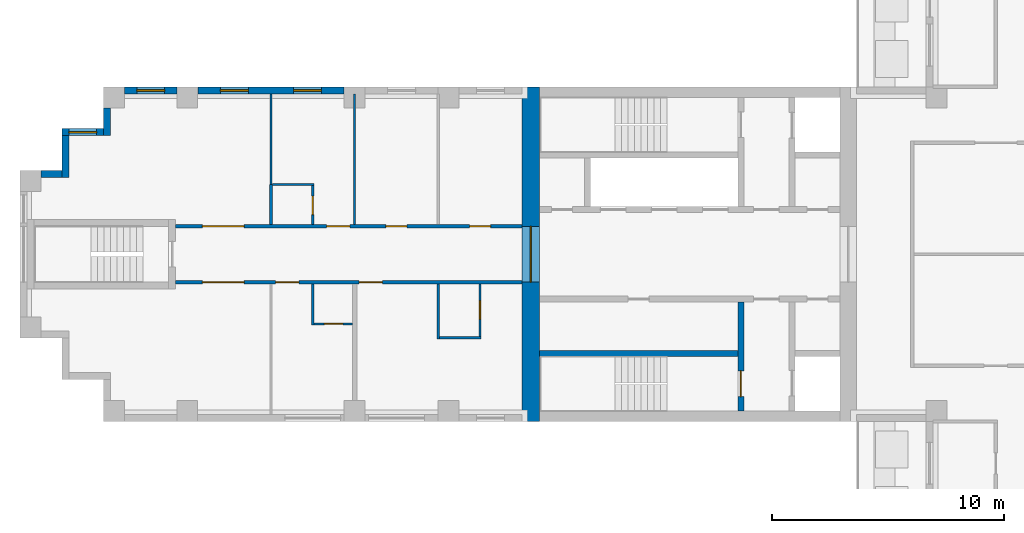
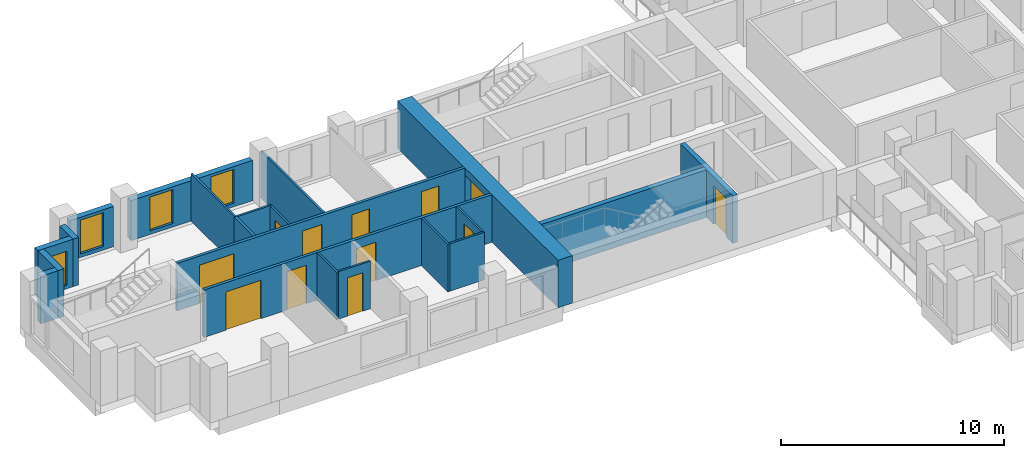
# One storey, part 3 of 12: 21 walls, 12 doors, 4 windows, 16 openings.
"""IFC4 building model written with IfcOpenShell, lengths in metres."""

from ifc_helpers import new_model, si_unit, direction, frame, frame_2d, origin, place, context, subcontext, project, spatial, rectangle, extrude, material, layer, layer_set, type_object, element, fill, save


model = new_model("IFC4")

# Units and contexts
model_context = context("Model", 3, precision=1e-05, world=origin(), true_north=direction((0.0, 1.0)))
body_context = subcontext(model_context, "Body", "Model", "MODEL_VIEW")
ifc_project = project(units=[si_unit("LENGTHUNIT", "METRE"), si_unit("AREAUNIT", "SQUARE_METRE"), si_unit("VOLUMEUNIT", "CUBIC_METRE"), si_unit("PLANEANGLEUNIT", "RADIAN"), si_unit("MASSUNIT", "GRAM", prefix="KILO")], contexts=[model_context])

# Site, building, storey
site_placement = place(None, origin())
site = spatial("IfcSite", under=ifc_project, at=site_placement, CompositionType="ELEMENT")
building_placement = place(site_placement, origin())
building = spatial("IfcBuilding", under=site, at=building_placement, Name="Fustian Cross Tower", CompositionType="ELEMENT")
storey_placement = place(building_placement, frame((0.0, 0.0, 135.300048828125)))
storey = spatial("IfcBuildingStorey", under=building, at=storey_placement, Name="L42", CompositionType="ELEMENT", Elevation=135.300048828125)

# Wall, openings, doors
ifc_material_1 = material(Name="Plasterboard on steel stud", Category="steel")
ifc_layer_1 = layer(ifc_material_1, 0.14990234375)
ifc_layer_set_1 = layer_set([ifc_layer_1], Name="Plasterboard on steel stud")
wall_type_1 = type_object("IfcWallType", Name="COMPARTMENT WALL 150 EI 60", PredefinedType="PARTITIONING", material=ifc_layer_set_1)
wall_1_placement = place(storey_placement, frame((-36.5, -1.199951171875, 0.0), z_axis=(0.0, 0.0, 1.0), x_axis=(1.0, 0.0, 0.0)))
wall_1 = element("IfcWall", 1, at=wall_1_placement, inside=storey, type_object=wall_type_1, Name="Partition 1", PredefinedType="PARTITIONING", context=body_context, shape_type="SweptSolid", body=[
    extrude(rectangle(XDim=14.89990234375, YDim=0.14990234375, at=frame_2d((7.449951171875, 0.0))), origin(), (0.0, 0.0, 1.0), 2.599853515625),
])
opening_1_placement = place(wall_1_placement, frame((7.89990234375, 0.0, 0.0)))
opening_1 = element("IfcOpeningElement", 2, at=opening_1_placement, cuts=wall_1, Name="Opening D19021", PredefinedType="OPENING", context=body_context, shape_type="SweptSolid", body=[
    extrude(rectangle(XDim=1.0, YDim=2.10009765625, at=frame_2d((0.5, 1.050048828125))), frame((0.0, 0.0849609375, 0.0), z_axis=(0.0, -1.0, 0.0), x_axis=(1.0, 0.0, 0.0)), (0.0, 0.0, 1.0), 0.169921875),
])
opening_2_placement = place(wall_1_placement, frame((4.300048828125, 0.0, 0.0)))
opening_2 = element("IfcOpeningElement", 3, at=opening_2_placement, cuts=wall_1, Name="Opening D19023", PredefinedType="OPENING", context=body_context, shape_type="SweptSolid", body=[
    extrude(rectangle(XDim=1.0, YDim=2.10009765625, at=frame_2d((0.5, 1.050048828125))), frame((0.0, 0.0849609375, 0.0), z_axis=(0.0, -1.0, 0.0), x_axis=(1.0, 0.0, 0.0)), (0.0, 0.0, 1.0), 0.169921875),
])
opening_3_placement = place(wall_1_placement, frame((1.14990234375, 0.0, 0.0)))
opening_3 = element("IfcOpeningElement", 4, at=opening_3_placement, cuts=wall_1, Name="Opening D19024", PredefinedType="OPENING", context=body_context, shape_type="SweptSolid", body=[
    extrude(rectangle(XDim=1.800048828125, YDim=2.10009765625, at=frame_2d((0.89990234375, 1.050048828125))), frame((0.0, 0.0849609375, 0.0), z_axis=(0.0, -1.0, 0.0), x_axis=(1.0, 0.0, 0.0)), (0.0, 0.0, 1.0), 0.169921875),
])
ifc_material_2 = material(Name="Timber fire door set", Category="wood")
door_type_1 = type_object("IfcDoorType", Name="FIRE DOUBLE DOOR 1800 FD30S", OperationType="DOUBLE_DOOR_DOUBLE_SWING", PredefinedType="DOOR", material=ifc_material_2)
door_1_placement = place(opening_3_placement, origin())
door_1 = element("IfcDoor", 5, at=door_1_placement, inside=storey, type_object=door_type_1, Name="Door D19024", OperationType="DOUBLE_DOOR_DOUBLE_SWING", OverallHeight=2.10009765625, OverallWidth=1.800048828125, PredefinedType="DOOR", context=body_context, shape_type="SweptSolid", body=[
    extrude(rectangle(XDim=1.800048828125, YDim=2.10009765625, at=frame_2d((0.89990234375, 1.050048828125))), frame((0.0, 0.02490234375, 0.0), z_axis=(0.0, -1.0, 0.0), x_axis=(1.0, 0.0, 0.0)), (0.0, 0.0, 1.0), 0.050048828125),
])
fill(opening_3, door_1)
ifc_material_3 = material(Name="Timber fire door set", Category="wood")
door_type_2 = type_object("IfcDoorType", Name="FIRE SWING DOOR 1000 FD30S", OperationType="SINGLE_SWING_LEFT", PredefinedType="DOOR", material=ifc_material_3)
door_2_placement = place(opening_1_placement, frame((1.0, 0.0, 0.0), z_axis=(0.0, 0.0, 1.0), x_axis=(-1.0, 0.0, 0.0)))
door_2 = element("IfcDoor", 6, at=door_2_placement, inside=storey, type_object=door_type_2, Name="Door D19021", OperationType="SINGLE_SWING_RIGHT", OverallHeight=2.10009765625, OverallWidth=1.0, PredefinedType="DOOR", context=body_context, shape_type="SweptSolid", body=[
    extrude(rectangle(XDim=1.0, YDim=2.10009765625, at=frame_2d((0.5, 1.050048828125))), frame((0.0, 0.02490234375, 0.0), z_axis=(0.0, -1.0, 0.0), x_axis=(1.0, 0.0, 0.0)), (0.0, 0.0, 1.0), 0.050048828125),
])
fill(opening_1, door_2)
door_3_placement = place(opening_2_placement, frame((1.0, 0.0, 0.0), z_axis=(0.0, 0.0, 1.0), x_axis=(-1.0, 0.0, 0.0)))
door_3 = element("IfcDoor", 7, at=door_3_placement, inside=storey, type_object=door_type_2, Name="Door D19023", OperationType="SINGLE_SWING_RIGHT", OverallHeight=2.10009765625, OverallWidth=1.0, PredefinedType="DOOR", context=body_context, shape_type="SweptSolid", body=[
    extrude(rectangle(XDim=1.0, YDim=2.10009765625, at=frame_2d((0.5, 1.050048828125))), frame((0.0, 0.02490234375, 0.0), z_axis=(0.0, -1.0, 0.0), x_axis=(1.0, 0.0, 0.0)), (0.0, 0.0, 1.0), 0.050048828125),
])
fill(opening_2, door_3)

wall_2_placement = place(storey_placement, frame((-36.5, 1.199951171875, 0.0), z_axis=(0.0, 0.0, 1.0), x_axis=(1.0, 0.0, 0.0)))
wall_2 = element("IfcWall", 8, at=wall_2_placement, inside=storey, type_object=wall_type_1, Name="Partition 2", PredefinedType="PARTITIONING", context=body_context, shape_type="SweptSolid", body=[
    extrude(rectangle(XDim=14.89990234375, YDim=0.14990234375, at=frame_2d((7.449951171875, 0.0))), origin(), (0.0, 0.0, 1.0), 2.599853515625),
])
opening_4_placement = place(wall_2_placement, frame((12.64990234375, 0.0, 0.0)))
opening_4 = element("IfcOpeningElement", 9, at=opening_4_placement, cuts=wall_2, Name="Opening D19025", PredefinedType="OPENING", context=body_context, shape_type="SweptSolid", body=[
    extrude(rectangle(XDim=0.89990234375, YDim=2.10009765625, at=frame_2d((0.449951171875, 1.050048828125))), frame((0.0, 0.0849609375, 0.0), z_axis=(0.0, -1.0, 0.0), x_axis=(1.0, 0.0, 0.0)), (0.0, 0.0, 1.0), 0.169921875),
])
opening_5_placement = place(wall_2_placement, frame((9.050048828125, 0.0, 0.0)))
opening_5 = element("IfcOpeningElement", 10, at=opening_5_placement, cuts=wall_2, Name="Opening D19026", PredefinedType="OPENING", context=body_context, shape_type="SweptSolid", body=[
    extrude(rectangle(XDim=0.89990234375, YDim=2.10009765625, at=frame_2d((0.449951171875, 1.050048828125))), frame((0.0, 0.0849609375, 0.0), z_axis=(0.0, -1.0, 0.0), x_axis=(1.0, 0.0, 0.0)), (0.0, 0.0, 1.0), 0.169921875),
])
opening_6_placement = place(wall_2_placement, frame((6.5, 0.0, 0.0)))
opening_6 = element("IfcOpeningElement", 11, at=opening_6_placement, cuts=wall_2, Name="Opening D19028", PredefinedType="OPENING", context=body_context, shape_type="SweptSolid", body=[
    extrude(rectangle(XDim=1.0, YDim=2.10009765625, at=frame_2d((0.5, 1.050048828125))), frame((0.0, 0.0849609375, 0.0), z_axis=(0.0, -1.0, 0.0), x_axis=(1.0, 0.0, 0.0)), (0.0, 0.0, 1.0), 0.169921875),
])
opening_7_placement = place(wall_2_placement, frame((1.14990234375, 0.0, 0.0)))
opening_7 = element("IfcOpeningElement", 12, at=opening_7_placement, cuts=wall_2, Name="Opening D19029", PredefinedType="OPENING", context=body_context, shape_type="SweptSolid", body=[
    extrude(rectangle(XDim=1.800048828125, YDim=2.10009765625, at=frame_2d((0.89990234375, 1.050048828125))), frame((0.0, 0.0849609375, 0.0), z_axis=(0.0, -1.0, 0.0), x_axis=(1.0, 0.0, 0.0)), (0.0, 0.0, 1.0), 0.169921875),
])
door_4_placement = place(opening_7_placement, frame((1.800048828125, 0.0, 0.0), z_axis=(0.0, 0.0, 1.0), x_axis=(-1.0, 0.0, 0.0)))
door_4 = element("IfcDoor", 13, at=door_4_placement, inside=storey, type_object=door_type_1, Name="Door D19029", OperationType="DOUBLE_DOOR_DOUBLE_SWING", OverallHeight=2.10009765625, OverallWidth=1.800048828125, PredefinedType="DOOR", context=body_context, shape_type="SweptSolid", body=[
    extrude(rectangle(XDim=1.800048828125, YDim=2.10009765625, at=frame_2d((0.89990234375, 1.050048828125))), frame((0.0, 0.02490234375, 0.0), z_axis=(0.0, -1.0, 0.0), x_axis=(1.0, 0.0, 0.0)), (0.0, 0.0, 1.0), 0.050048828125),
])
fill(opening_7, door_4)
door_5_placement = place(opening_6_placement, origin())
door_5 = element("IfcDoor", 14, at=door_5_placement, inside=storey, type_object=door_type_2, Name="Door D19028", OperationType="SINGLE_SWING_RIGHT", OverallHeight=2.10009765625, OverallWidth=1.0, PredefinedType="DOOR", context=body_context, shape_type="SweptSolid", body=[
    extrude(rectangle(XDim=1.0, YDim=2.10009765625, at=frame_2d((0.5, 1.050048828125))), frame((0.0, 0.02490234375, 0.0), z_axis=(0.0, -1.0, 0.0), x_axis=(1.0, 0.0, 0.0)), (0.0, 0.0, 1.0), 0.050048828125),
])
fill(opening_6, door_5)
ifc_material_4 = material(Name="Timber fire door set", Category="wood")
door_type_3 = type_object("IfcDoorType", Name="FIRE SWING DOOR 900 FD30S", OperationType="SINGLE_SWING_LEFT", PredefinedType="DOOR", material=ifc_material_4)
door_6_placement = place(opening_4_placement, origin())
door_6 = element("IfcDoor", 15, at=door_6_placement, inside=storey, type_object=door_type_3, Name="Door D19025", OperationType="SINGLE_SWING_LEFT", OverallHeight=2.10009765625, OverallWidth=0.89990234375, PredefinedType="DOOR", context=body_context, shape_type="SweptSolid", body=[
    extrude(rectangle(XDim=0.89990234375, YDim=2.10009765625, at=frame_2d((0.449951171875, 1.050048828125))), frame((0.0, 0.02490234375, 0.0), z_axis=(0.0, -1.0, 0.0), x_axis=(1.0, 0.0, 0.0)), (0.0, 0.0, 1.0), 0.050048828125),
])
fill(opening_4, door_6)
door_7_placement = place(opening_5_placement, origin())
door_7 = element("IfcDoor", 16, at=door_7_placement, inside=storey, type_object=door_type_3, Name="Door D19026", OperationType="SINGLE_SWING_LEFT", OverallHeight=2.10009765625, OverallWidth=0.89990234375, PredefinedType="DOOR", context=body_context, shape_type="SweptSolid", body=[
    extrude(rectangle(XDim=0.89990234375, YDim=2.10009765625, at=frame_2d((0.449951171875, 1.050048828125))), frame((0.0, 0.02490234375, 0.0), z_axis=(0.0, -1.0, 0.0), x_axis=(1.0, 0.0, 0.0)), (0.0, 0.0, 1.0), 0.050048828125),
])
fill(opening_5, door_7)

# Wall, opening, door
ifc_material_5 = material(Name="Concrete C60/75", Category="concrete")
ifc_layer_2 = layer(ifc_material_5, 0.75)
ifc_layer_set_2 = layer_set([ifc_layer_2], Name="Concrete C60/75")
wall_type_2 = type_object("IfcWallType", Name="CORE END WALL 750 C60/75", PredefinedType="SHEAR", material=ifc_layer_set_2)
wall_3_placement = place(storey_placement, frame((-21.22509765625, -7.199951171875, 0.0), z_axis=(0.0, 0.0, 1.0), x_axis=(0.0, 1.0, 0.0)))
wall_3 = element("IfcWall", 17, at=wall_3_placement, inside=storey, type_object=wall_type_2, Name="Core end wall", PredefinedType="SHEAR", context=body_context, shape_type="SweptSolid", body=[
    extrude(rectangle(XDim=14.39990234375, YDim=0.75, at=frame_2d((7.199951171875, 0.0))), origin(), (0.0, 0.0, 1.0), 2.599853515625),
])
opening_8_placement = place(wall_3_placement, frame((6.0, 0.0, 0.0)))
opening_8 = element("IfcOpeningElement", 18, at=opening_8_placement, cuts=wall_3, Name="Opening CD-17-28", PredefinedType="OPENING", context=body_context, shape_type="SweptSolid", body=[
    extrude(rectangle(XDim=2.39990234375, YDim=2.199951171875, at=frame_2d((1.199951171875, 1.10009765625))), frame((0.0, 0.385009765625, 0.0), z_axis=(0.0, -1.0, 0.0), x_axis=(1.0, 0.0, 0.0)), (0.0, 0.0, 1.0), 0.77001953125),
])
ifc_material_6 = material(Name="Steel", Category="steel")
door_type_4 = type_object("IfcDoorType", Name="FIRE DOOR FD30S DOUBLE 2400X2200", OperationType="DOUBLE_DOOR_DOUBLE_SWING", PredefinedType="DOOR", material=ifc_material_6)
door_8_placement = place(opening_8_placement, frame((2.39990234375, 0.0, 0.0), z_axis=(0.0, 0.0, 1.0), x_axis=(-1.0, 0.0, 0.0)))
door_8 = element("IfcDoor", 19, at=door_8_placement, inside=storey, type_object=door_type_4, Name="Core door CD-17-28", OperationType="DOUBLE_DOOR_DOUBLE_SWING", OverallHeight=2.199951171875, OverallWidth=2.39990234375, PredefinedType="DOOR", context=body_context, shape_type="SweptSolid", body=[
    extrude(rectangle(XDim=2.39990234375, YDim=2.199951171875, at=frame_2d((1.199951171875, 1.10009765625))), frame((0.0, 0.02490234375, 0.0), z_axis=(0.0, -1.0, 0.0), x_axis=(1.0, 0.0, 0.0)), (0.0, 0.0, 1.0), 0.050048828125),
])
fill(opening_8, door_8)

# Wall
ifc_material_7 = material(Name="Concrete C50/60", Category="concrete")
ifc_layer_3 = layer(ifc_material_7, 0.25)
ifc_layer_set_3 = layer_set([ifc_layer_3], Name="Concrete C50/60")
wall_type_3 = type_object("IfcWallType", Name="CORE SHAFT WALL 250 C50/60", PredefinedType="SHEAR", material=ifc_layer_set_3)
wall_4_placement = place(storey_placement, frame((-12.300048828125, -4.27490234375, 0.0), z_axis=(0.0, 0.0, 1.0), x_axis=(-1.0, 0.0, 0.0)))
element("IfcWall", 20, at=wall_4_placement, inside=storey, type_object=wall_type_3, Name="Core shaft wall", PredefinedType="SHEAR", context=body_context, shape_type="SweptSolid", body=[
    extrude(rectangle(XDim=8.550048828125, YDim=0.25, at=frame_2d((4.27490234375, 0.0))), origin(), (0.0, 0.0, 1.0), 2.599853515625),
])

# Wall, opening, door
wall_5_placement = place(storey_placement, frame((-12.175048828125, -2.050048828125, 0.0), z_axis=(0.0, 0.0, 1.0), x_axis=(0.0, -1.0, 0.0)))
wall_5 = element("IfcWall", 21, at=wall_5_placement, inside=storey, type_object=wall_type_3, Name="Core shaft wall", PredefinedType="SHEAR", context=body_context, shape_type="SweptSolid", body=[
    extrude(rectangle(XDim=4.699951171875, YDim=0.25, at=frame_2d((2.35009765625, 0.0))), origin(), (0.0, 0.0, 1.0), 2.599853515625),
])
opening_9_placement = place(wall_5_placement, frame((2.97509765625, 0.0, 0.0)))
opening_9 = element("IfcOpeningElement", 22, at=opening_9_placement, cuts=wall_5, Name="Opening CD-17-22", PredefinedType="OPENING", context=body_context, shape_type="SweptSolid", body=[
    extrude(rectangle(XDim=1.10009765625, YDim=2.10009765625, at=frame_2d((0.550048828125, 1.050048828125))), frame((0.0, 0.135009765625, 0.0), z_axis=(0.0, -1.0, 0.0), x_axis=(1.0, 0.0, 0.0)), (0.0, 0.0, 1.0), 0.27001953125),
])
ifc_material_8 = material(Name="Steel", Category="steel")
door_type_5 = type_object("IfcDoorType", Name="FIRE DOOR FD60S 1100X2100", OperationType="SINGLE_SWING_LEFT", PredefinedType="DOOR", material=ifc_material_8)
door_9_placement = place(opening_9_placement, frame((1.10009765625, 0.0, 0.0), z_axis=(0.0, 0.0, 1.0), x_axis=(-1.0, 0.0, 0.0)))
door_9 = element("IfcDoor", 23, at=door_9_placement, inside=storey, type_object=door_type_5, Name="Core door CD-17-22", OperationType="SINGLE_SWING_RIGHT", OverallHeight=2.10009765625, OverallWidth=1.10009765625, PredefinedType="DOOR", context=body_context, shape_type="SweptSolid", body=[
    extrude(rectangle(XDim=1.10009765625, YDim=2.10009765625, at=frame_2d((0.550048828125, 1.050048828125))), frame((0.0, 0.02490234375, 0.0), z_axis=(0.0, -1.0, 0.0), x_axis=(1.0, 0.0, 0.0)), (0.0, 0.0, 1.0), 0.050048828125),
])
fill(opening_9, door_9)

# Walls
ifc_material_9 = material(Name="Plasterboard on steel stud", Category="steel")
ifc_layer_4 = layer(ifc_material_9, 0.10009765625)
ifc_layer_set_4 = layer_set([ifc_layer_4], Name="Plasterboard on steel stud")
wall_type_4 = type_object("IfcWallType", Name="PARTITION 100 STUD", PredefinedType="PARTITIONING", material=ifc_layer_set_4)
wall_6_placement = place(storey_placement, frame((-32.39990234375, 3.0, 0.0), z_axis=(0.0, 0.0, 1.0), x_axis=(0.0, 1.0, 0.0)))
element("IfcWall", 24, at=wall_6_placement, inside=storey, type_object=wall_type_4, Name="Partition 5", PredefinedType="PARTITIONING", context=body_context, shape_type="SweptSolid", body=[
    extrude(rectangle(XDim=3.89990234375, YDim=0.10009765625, at=frame_2d((1.949951171875, 0.0))), origin(), (0.0, 0.0, 1.0), 2.599853515625),
])
wall_7_placement = place(storey_placement, frame((-32.33740234375, 3.0, 0.0), z_axis=(0.0, 0.0, 1.0), x_axis=(1.0, 0.0, 0.0)))
element("IfcWall", 25, at=wall_7_placement, inside=storey, type_object=wall_type_4, Name="Partition 6", PredefinedType="PARTITIONING", context=body_context, shape_type="SweptSolid", body=[
    extrude(rectangle(XDim=1.787353515625, YDim=0.10009765625, at=frame_2d((0.8935546875, 0.0))), origin(), (0.0, 0.0, 1.0), 2.599853515625),
])
wall_8_placement = place(storey_placement, frame((-30.60009765625, -3.050048828125, 0.0), z_axis=(0.0, 0.0, 1.0), x_axis=(0.0, 1.0, 0.0)))
element("IfcWall", 26, at=wall_8_placement, inside=storey, type_object=wall_type_4, Name="Partition 7", PredefinedType="PARTITIONING", context=body_context, shape_type="SweptSolid", body=[
    extrude(rectangle(XDim=1.775146484375, YDim=0.10009765625, at=frame_2d((0.8876953125, 0.0))), origin(), (0.0, 0.0, 1.0), 2.599853515625),
])

# Wall, opening, door
wall_9_placement = place(storey_placement, frame((-30.550048828125, -3.0, 0.0), z_axis=(0.0, 0.0, 1.0), x_axis=(1.0, 0.0, 0.0)))
wall_9 = element("IfcWall", 27, at=wall_9_placement, inside=storey, type_object=wall_type_4, Name="Partition 8", PredefinedType="PARTITIONING", context=body_context, shape_type="SweptSolid", body=[
    extrude(rectangle(XDim=1.650146484375, YDim=0.10009765625, at=frame_2d((0.8251953125, 0.0))), origin(), (0.0, 0.0, 1.0), 2.599853515625),
])
opening_10_placement = place(wall_9_placement, frame((0.449951171875, 0.0, 0.0)))
opening_10 = element("IfcOpeningElement", 28, at=opening_10_placement, cuts=wall_9, Name="Opening D19022", PredefinedType="OPENING", context=body_context, shape_type="SweptSolid", body=[
    extrude(rectangle(XDim=0.800048828125, YDim=2.10009765625, at=frame_2d((0.39990234375, 1.050048828125))), frame((0.0, 0.06005859375, 0.0), z_axis=(0.0, -1.0, 0.0), x_axis=(1.0, 0.0, 0.0)), (0.0, 0.0, 1.0), 0.1201171875),
])
ifc_material_10 = material(Name="Painted timber", Category="wood")
door_type_6 = type_object("IfcDoorType", Name="SWING DOOR 800", OperationType="SINGLE_SWING_LEFT", PredefinedType="DOOR", material=ifc_material_10)
door_10_placement = place(opening_10_placement, origin())
door_10 = element("IfcDoor", 29, at=door_10_placement, inside=storey, type_object=door_type_6, Name="Door D19022", OperationType="SINGLE_SWING_RIGHT", OverallHeight=2.10009765625, OverallWidth=0.800048828125, PredefinedType="DOOR", context=body_context, shape_type="SweptSolid", body=[
    extrude(rectangle(XDim=0.800048828125, YDim=2.10009765625, at=frame_2d((0.39990234375, 1.050048828125))), frame((0.0, 0.02490234375, 0.0), z_axis=(0.0, -1.0, 0.0), x_axis=(1.0, 0.0, 0.0)), (0.0, 0.0, 1.0), 0.050048828125),
])
fill(opening_10, door_10)

wall_10_placement = place(storey_placement, frame((-30.60009765625, 1.27490234375, 0.0), z_axis=(0.0, 0.0, 1.0), x_axis=(0.0, 1.0, 0.0)))
wall_10 = element("IfcWall", 30, at=wall_10_placement, inside=storey, type_object=wall_type_4, Name="Partition 9", PredefinedType="PARTITIONING", context=body_context, shape_type="SweptSolid", body=[
    extrude(rectangle(XDim=1.675048828125, YDim=0.10009765625, at=frame_2d((0.83740234375, 0.0))), origin(), (0.0, 0.0, 1.0), 2.599853515625),
])
opening_11_placement = place(wall_10_placement, frame((0.425048828125, 0.0, 0.0)))
opening_11 = element("IfcOpeningElement", 31, at=opening_11_placement, cuts=wall_10, Name="Opening D19027", PredefinedType="OPENING", context=body_context, shape_type="SweptSolid", body=[
    extrude(rectangle(XDim=0.800048828125, YDim=2.10009765625, at=frame_2d((0.39990234375, 1.050048828125))), frame((0.0, 0.06005859375, 0.0), z_axis=(0.0, -1.0, 0.0), x_axis=(1.0, 0.0, 0.0)), (0.0, 0.0, 1.0), 0.1201171875),
])
door_11_placement = place(opening_11_placement, origin())
door_11 = element("IfcDoor", 32, at=door_11_placement, inside=storey, type_object=door_type_6, Name="Door D19027", OperationType="SINGLE_SWING_RIGHT", OverallHeight=2.10009765625, OverallWidth=0.800048828125, PredefinedType="DOOR", context=body_context, shape_type="SweptSolid", body=[
    extrude(rectangle(XDim=0.800048828125, YDim=2.10009765625, at=frame_2d((0.39990234375, 1.050048828125))), frame((0.0, 0.02490234375, 0.0), z_axis=(0.0, -1.0, 0.0), x_axis=(1.0, 0.0, 0.0)), (0.0, 0.0, 1.0), 0.050048828125),
])
fill(opening_11, door_11)

# Walls
wall_11_placement = place(storey_placement, frame((-28.800048828125, 1.27490234375, 0.0), z_axis=(0.0, 0.0, 1.0), x_axis=(0.0, 1.0, 0.0)))
element("IfcWall", 33, at=wall_11_placement, inside=storey, type_object=wall_type_4, Name="Partition 11", PredefinedType="PARTITIONING", context=body_context, shape_type="SweptSolid", body=[
    extrude(rectangle(XDim=5.625, YDim=0.10009765625, at=frame_2d((2.8125, 0.0))), origin(), (0.0, 0.0, 1.0), 2.599853515625),
])
wall_12_placement = place(storey_placement, frame((-25.199951171875, -3.64990234375, 0.0), z_axis=(0.0, 0.0, 1.0), x_axis=(0.0, 1.0, 0.0)))
element("IfcWall", 34, at=wall_12_placement, inside=storey, type_object=wall_type_4, Name="Partition 12", PredefinedType="PARTITIONING", context=body_context, shape_type="SweptSolid", body=[
    extrude(rectangle(XDim=2.375, YDim=0.10009765625, at=frame_2d((1.1875, 0.0))), origin(), (0.0, 0.0, 1.0), 2.599853515625),
])
wall_13_placement = place(storey_placement, frame((-25.14990234375, -3.60009765625, 0.0), z_axis=(0.0, 0.0, 1.0), x_axis=(1.0, 0.0, 0.0)))
element("IfcWall", 35, at=wall_13_placement, inside=storey, type_object=wall_type_4, Name="Partition 13", PredefinedType="PARTITIONING", context=body_context, shape_type="SweptSolid", body=[
    extrude(rectangle(XDim=1.7998046875, YDim=0.10009765625, at=frame_2d((0.89990234375, 0.0))), origin(), (0.0, 0.0, 1.0), 2.599853515625),
])

# Wall, opening, door
wall_14_placement = place(storey_placement, frame((-23.39990234375, -3.550048828125, 0.0), z_axis=(0.0, 0.0, 1.0), x_axis=(0.0, 1.0, 0.0)))
wall_14 = element("IfcWall", 36, at=wall_14_placement, inside=storey, type_object=wall_type_4, Name="Partition 15", PredefinedType="PARTITIONING", context=body_context, shape_type="SweptSolid", body=[
    extrude(rectangle(XDim=2.275146484375, YDim=0.10009765625, at=frame_2d((1.1376953125, 0.0))), origin(), (0.0, 0.0, 1.0), 2.599853515625),
])
opening_12_placement = place(wall_14_placement, frame((0.75, 0.0, 0.0)))
opening_12 = element("IfcOpeningElement", 37, at=opening_12_placement, cuts=wall_14, Name="Opening D19020", PredefinedType="OPENING", context=body_context, shape_type="SweptSolid", body=[
    extrude(rectangle(XDim=0.800048828125, YDim=2.10009765625, at=frame_2d((0.39990234375, 1.050048828125))), frame((0.0, 0.06005859375, 0.0), z_axis=(0.0, -1.0, 0.0), x_axis=(1.0, 0.0, 0.0)), (0.0, 0.0, 1.0), 0.1201171875),
])
door_12_placement = place(opening_12_placement, origin())
door_12 = element("IfcDoor", 38, at=door_12_placement, inside=storey, type_object=door_type_6, Name="Door D19020", OperationType="SINGLE_SWING_LEFT", OverallHeight=2.10009765625, OverallWidth=0.800048828125, PredefinedType="DOOR", context=body_context, shape_type="SweptSolid", body=[
    extrude(rectangle(XDim=0.800048828125, YDim=2.10009765625, at=frame_2d((0.39990234375, 1.050048828125))), frame((0.0, 0.02490234375, 0.0), z_axis=(0.0, -1.0, 0.0), x_axis=(1.0, 0.0, 0.0)), (0.0, 0.0, 1.0), 0.050048828125),
])
fill(opening_12, door_12)

# Wall
ifc_material_11 = material(Name="Plasterboard on steel stud", Category="steel")
ifc_layer_5 = layer(ifc_material_11, 0.125)
ifc_layer_set_5 = layer_set([ifc_layer_5], Name="Plasterboard on steel stud")
wall_type_5 = type_object("IfcWallType", Name="WET WALL 125 STUD", PredefinedType="PARTITIONING", material=ifc_layer_set_5)
wall_15_placement = place(storey_placement, frame((-32.39990234375, 1.27490234375, 0.0), z_axis=(0.0, 0.0, 1.0), x_axis=(0.0, 1.0, 0.0)))
element("IfcWall", 39, at=wall_15_placement, inside=storey, type_object=wall_type_5, Name="Partition 4", PredefinedType="PARTITIONING", context=body_context, shape_type="SweptSolid", body=[
    extrude(rectangle(XDim=1.72509765625, YDim=0.125, at=frame_2d((0.862548828125, 0.0))), origin(), (0.0, 0.0, 1.0), 2.599853515625),
])

# Wall, openings, windows
ifc_material_12 = material(Name="Dark aluminium cladding on insulated backing wall", Category="aluminium")
ifc_layer_6 = layer(ifc_material_12, 0.300048828125)
ifc_layer_set_6 = layer_set([ifc_layer_6], Name="Dark aluminium cladding on insulated backing wall")
wall_type_6 = type_object("IfcWallType", Name="XW1 EXTERNAL WALL 300", PredefinedType="SOLIDWALL", material=ifc_layer_set_6)
wall_16_placement = place(storey_placement, frame((-29.25, 7.050048828125, 0.0), z_axis=(0.0, 0.0, 1.0), x_axis=(-1.0, 0.0, 0.0)))
wall_16 = element("IfcWall", 40, at=wall_16_placement, inside=storey, type_object=wall_type_6, Name="External wall", PredefinedType="SOLIDWALL", context=body_context, shape_type="SweptSolid", body=[
    extrude(rectangle(XDim=6.300048828125, YDim=0.300048828125, at=frame_2d((3.14990234375, 0.0))), origin(), (0.0, 0.0, 1.0), 2.199951171875),
])
opening_13_placement = place(wall_16_placement, frame((0.97509765625, 0.0, 0.199951171875)))
opening_13 = element("IfcOpeningElement", 41, at=opening_13_placement, cuts=wall_16, Name="Opening WN3", PredefinedType="OPENING", context=body_context, shape_type="SweptSolid", body=[
    extrude(rectangle(XDim=1.199951171875, YDim=1.85009765625, at=frame_2d((0.60009765625, 0.925048828125))), frame((0.0, 0.159912109375, 0.0), z_axis=(0.0, -1.0, 0.0), x_axis=(1.0, 0.0, 0.0)), (0.0, 0.0, 1.0), 0.320068359375),
])
opening_14_placement = place(wall_16_placement, frame((4.125, 0.0, 0.199951171875)))
opening_14 = element("IfcOpeningElement", 42, at=opening_14_placement, cuts=wall_16, Name="Opening WN3", PredefinedType="OPENING", context=body_context, shape_type="SweptSolid", body=[
    extrude(rectangle(XDim=1.199951171875, YDim=1.85009765625, at=frame_2d((0.60009765625, 0.925048828125))), frame((0.0, 0.159912109375, 0.0), z_axis=(0.0, -1.0, 0.0), x_axis=(1.0, 0.0, 0.0)), (0.0, 0.0, 1.0), 0.320068359375),
])
ifc_material_13 = material(Name="Dark anodised aluminium and double glazing", Category="aluminium")
window_type = type_object("IfcWindowType", Name="WN3 WINDOW 1200X1850", PartitioningType="SINGLE_PANEL", PredefinedType="WINDOW", material=ifc_material_13)
window_1_placement = place(opening_13_placement, origin())
window_1 = element("IfcWindow", 43, at=window_1_placement, inside=storey, type_object=window_type, Name="Window", OverallHeight=1.85009765625, OverallWidth=1.199951171875, PartitioningType="SINGLE_PANEL", PredefinedType="WINDOW", context=body_context, shape_type="SweptSolid", body=[
    extrude(rectangle(XDim=1.199951171875, YDim=1.85009765625, at=frame_2d((0.60009765625, 0.925048828125))), frame((0.0, 0.030029296875, 0.0), z_axis=(0.0, -1.0, 0.0), x_axis=(1.0, 0.0, 0.0)), (0.0, 0.0, 1.0), 0.06005859375),
])
fill(opening_13, window_1)
window_2_placement = place(opening_14_placement, origin())
window_2 = element("IfcWindow", 44, at=window_2_placement, inside=storey, type_object=window_type, Name="Window", OverallHeight=1.85009765625, OverallWidth=1.199951171875, PartitioningType="SINGLE_PANEL", PredefinedType="WINDOW", context=body_context, shape_type="SweptSolid", body=[
    extrude(rectangle(XDim=1.199951171875, YDim=1.85009765625, at=frame_2d((0.60009765625, 0.925048828125))), frame((0.0, 0.030029296875, 0.0), z_axis=(0.0, -1.0, 0.0), x_axis=(1.0, 0.0, 0.0)), (0.0, 0.0, 1.0), 0.06005859375),
])
fill(opening_14, window_2)

# Wall, opening, window
wall_17_placement = place(storey_placement, frame((-36.449951171875, 7.050048828125, 0.0), z_axis=(0.0, 0.0, 1.0), x_axis=(-1.0, 0.0, 0.0)))
wall_17 = element("IfcWall", 45, at=wall_17_placement, inside=storey, type_object=wall_type_6, Name="External wall", PredefinedType="SOLIDWALL", context=body_context, shape_type="SweptSolid", body=[
    extrude(rectangle(XDim=2.25, YDim=0.300048828125, at=frame_2d((1.125, 0.0))), origin(), (0.0, 0.0, 1.0), 2.199951171875),
])
opening_15_placement = place(wall_17_placement, frame((0.52490234375, 0.0, 0.199951171875)))
opening_15 = element("IfcOpeningElement", 46, at=opening_15_placement, cuts=wall_17, Name="Opening WN3", PredefinedType="OPENING", context=body_context, shape_type="SweptSolid", body=[
    extrude(rectangle(XDim=1.199951171875, YDim=1.85009765625, at=frame_2d((0.60009765625, 0.925048828125))), frame((0.0, 0.159912109375, 0.0), z_axis=(0.0, -1.0, 0.0), x_axis=(1.0, 0.0, 0.0)), (0.0, 0.0, 1.0), 0.320068359375),
])
window_3_placement = place(opening_15_placement, origin())
window_3 = element("IfcWindow", 47, at=window_3_placement, inside=storey, type_object=window_type, Name="Window", OverallHeight=1.85009765625, OverallWidth=1.199951171875, PartitioningType="SINGLE_PANEL", PredefinedType="WINDOW", context=body_context, shape_type="SweptSolid", body=[
    extrude(rectangle(XDim=1.199951171875, YDim=1.85009765625, at=frame_2d((0.60009765625, 0.925048828125))), frame((0.0, 0.030029296875, 0.0), z_axis=(0.0, -1.0, 0.0), x_axis=(1.0, 0.0, 0.0)), (0.0, 0.0, 1.0), 0.06005859375),
])
fill(opening_15, window_3)

# Wall
wall_18_placement = place(storey_placement, frame((-39.449951171875, 6.300048828125, 0.0), z_axis=(0.0, 0.0, 1.0), x_axis=(0.0, -1.0, 0.0)))
element("IfcWall", 48, at=wall_18_placement, inside=storey, type_object=wall_type_6, Name="External wall", PredefinedType="SOLIDWALL", context=body_context, shape_type="SweptSolid", body=[
    extrude(rectangle(XDim=1.199951171875, YDim=0.300048828125, at=frame_2d((0.60009765625, 0.0))), origin(), (0.0, 0.0, 1.0), 2.599853515625),
])

# Wall, opening, window
wall_19_placement = place(storey_placement, frame((-39.60009765625, 5.25, 0.0), z_axis=(0.0, 0.0, 1.0), x_axis=(-1.0, 0.0, 0.0)))
wall_19 = element("IfcWall", 49, at=wall_19_placement, inside=storey, type_object=wall_type_6, Name="External wall", PredefinedType="SOLIDWALL", context=body_context, shape_type="SweptSolid", body=[
    extrude(rectangle(XDim=1.7998046875, YDim=0.300048828125, at=frame_2d((0.89990234375, 0.0))), origin(), (0.0, 0.0, 1.0), 2.599853515625),
])
opening_16_placement = place(wall_19_placement, frame((0.300048828125, 0.0, 0.199951171875)))
opening_16 = element("IfcOpeningElement", 50, at=opening_16_placement, cuts=wall_19, Name="Opening WN3", PredefinedType="OPENING", context=body_context, shape_type="SweptSolid", body=[
    extrude(rectangle(XDim=1.199951171875, YDim=1.85009765625, at=frame_2d((0.60009765625, 0.925048828125))), frame((0.0, 0.159912109375, 0.0), z_axis=(0.0, -1.0, 0.0), x_axis=(1.0, 0.0, 0.0)), (0.0, 0.0, 1.0), 0.320068359375),
])
window_4_placement = place(opening_16_placement, origin())
window_4 = element("IfcWindow", 51, at=window_4_placement, inside=storey, type_object=window_type, Name="Window", OverallHeight=1.85009765625, OverallWidth=1.199951171875, PartitioningType="SINGLE_PANEL", PredefinedType="WINDOW", context=body_context, shape_type="SweptSolid", body=[
    extrude(rectangle(XDim=1.199951171875, YDim=1.85009765625, at=frame_2d((0.60009765625, 0.925048828125))), frame((0.0, 0.030029296875, 0.0), z_axis=(0.0, -1.0, 0.0), x_axis=(1.0, 0.0, 0.0)), (0.0, 0.0, 1.0), 0.06005859375),
])
fill(opening_16, window_4)

# Walls
wall_20_placement = place(storey_placement, frame((-41.25, 5.10009765625, 0.0), z_axis=(0.0, 0.0, 1.0), x_axis=(0.0, -1.0, 0.0)))
element("IfcWall", 52, at=wall_20_placement, inside=storey, type_object=wall_type_6, Name="External wall", PredefinedType="SOLIDWALL", context=body_context, shape_type="SweptSolid", body=[
    extrude(rectangle(XDim=1.800048828125, YDim=0.300048828125, at=frame_2d((0.89990234375, 0.0))), origin(), (0.0, 0.0, 1.0), 2.599853515625),
])
wall_21_placement = place(storey_placement, frame((-41.39990234375, 3.449951171875, 0.0), z_axis=(0.0, 0.0, 1.0), x_axis=(-1.0, 0.0, 0.0)))
element("IfcWall", 53, at=wall_21_placement, inside=storey, type_object=wall_type_6, Name="External wall", PredefinedType="SOLIDWALL", context=body_context, shape_type="SweptSolid", body=[
    extrude(rectangle(XDim=0.900146484375, YDim=0.300048828125, at=frame_2d((0.4501953125, 0.0))), origin(), (0.0, 0.0, 1.0), 2.599853515625),
])

save(model, "model.ifc")
